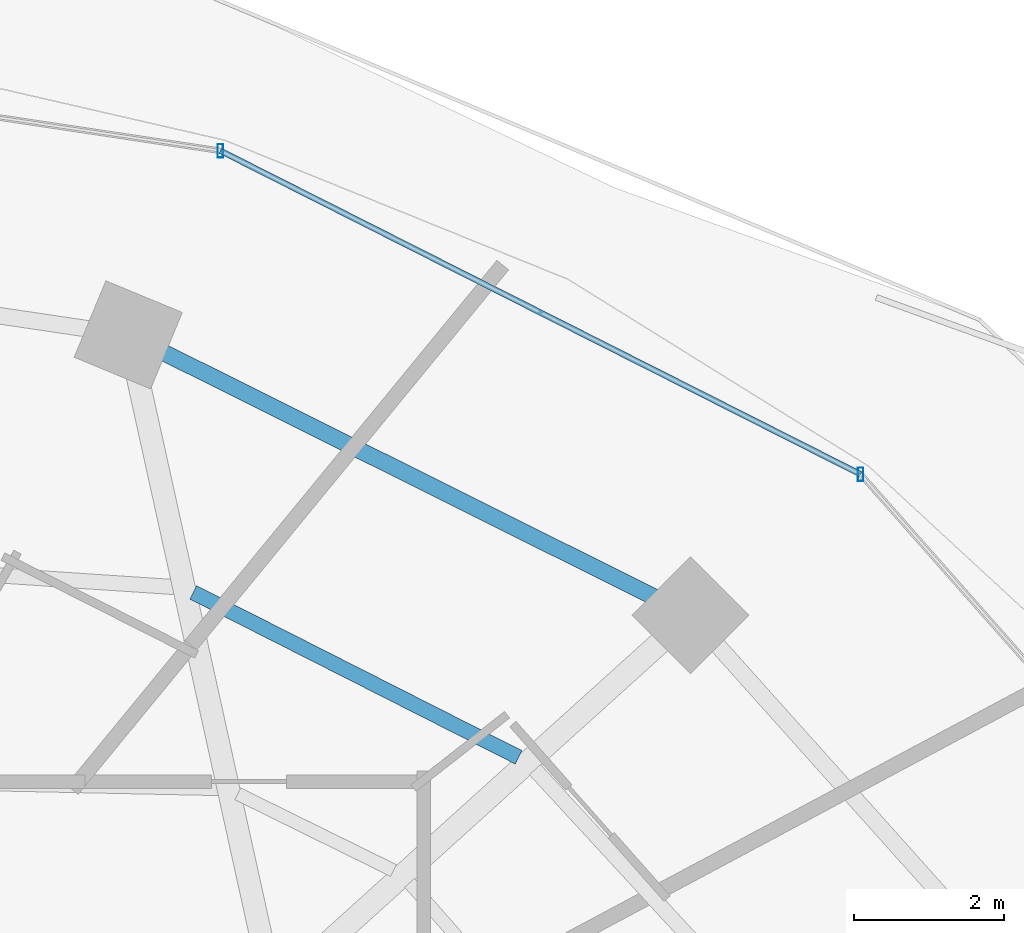
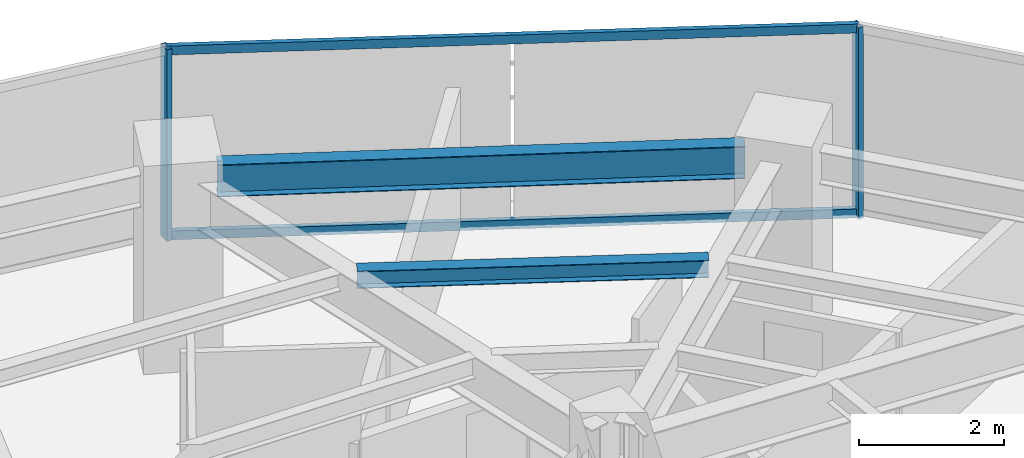
# One storey, part 20 of 29: 4 members, 2 beams, 1 element without a shape of its own.
"""IFC4 building model written with IfcOpenShell, lengths in metres."""

from ifc_helpers import new_model, si_unit, direction, frame, origin, origin_2d, place, context, subcontext, project, spatial, hollow_rectangle, i_section, extrude, material, material_profile, profile_set, type_object, element, aggregate, save


model = new_model("IFC4")

# Units and contexts
model_context = context("Model", 3, precision=1e-05, world=origin(), true_north=direction((0.0, 1.0)))
body_context = subcontext(model_context, "Body", "Model", "MODEL_VIEW")
ifc_project = project(units=[si_unit("LENGTHUNIT", "METRE"), si_unit("AREAUNIT", "SQUARE_METRE"), si_unit("VOLUMEUNIT", "CUBIC_METRE"), si_unit("PLANEANGLEUNIT", "RADIAN"), si_unit("MASSUNIT", "GRAM", prefix="KILO")], contexts=[model_context])

# Site, building, storey
site_placement = place(None, origin())
site = spatial("IfcSite", under=ifc_project, at=site_placement, CompositionType="ELEMENT")
building_placement = place(site_placement, origin())
building = spatial("IfcBuilding", under=site, at=building_placement, Name="Vorneva Point Tower", CompositionType="ELEMENT")
storey_placement = place(building_placement, frame((0.0, 0.0, 120.800048828125)))
storey = spatial("IfcBuildingStorey", under=building, at=storey_placement, Name="L32", CompositionType="ELEMENT", Elevation=120.800048828125)

# Beams
ifc_material_1 = material(Name="Steel S355", Category="steel")
ifc_material_profile_1 = material_profile(ifc_material_1, i_section(OverallWidth=0.199951171875, OverallDepth=0.291015625, WebThickness=0.008056640625, FlangeThickness=0.010986328125, at=origin_2d()), Name="30Sh1")
ifc_profile_set_1 = profile_set([ifc_material_profile_1], Name="Steel S355")
beam_type_1 = type_object("IfcBeamType", Name="BM-SEC-30Sh1", PredefinedType="BEAM", material=ifc_profile_set_1)
beam_1_placement = place(storey_placement, frame((52.013427734375, 36.271484375, 3.00439453125), z_axis=(-0.891957851433, 0.452118558862, 0.0), x_axis=(-0.452118558862, -0.891957851433, 0.0)))
element("IfcBeam", 1, at=beam_1_placement, inside=storey, type_object=beam_type_1, Name="L32 Secondary Floor Beam 1.03", PredefinedType="BEAM", context=body_context, shape_type="SweptSolid", body=[
    extrude(i_section(OverallWidth=0.199951171875, OverallDepth=0.291015625, WebThickness=0.008056640625, FlangeThickness=0.010986328125, at=origin_2d()), origin(), (0.0, 0.0, 1.0), 4.851318359375),
])
ifc_material_profile_2 = material_profile(ifc_material_1, i_section(OverallWidth=0.219970703125, OverallDepth=0.54296875, WebThickness=0.009521484375, FlangeThickness=0.013427734375, at=origin_2d()), Name="55B1")
ifc_profile_set_2 = profile_set([ifc_material_profile_2], Name="Steel S355")
beam_type_2 = type_object("IfcBeamType", Name="BM-SPN-55B1", PredefinedType="SPANDREL", material=ifc_profile_set_2)
beam_2_placement = place(storey_placement, frame((53.820068359375, 38.40087890625, 2.87841796875), z_axis=(-0.894915882304, 0.446234874926, 0.0), x_axis=(-0.446234874926, -0.894915882304, 0.0)))
element("IfcBeam", 2, at=beam_2_placement, inside=storey, type_object=beam_type_2, Name="L32 Perimeter Spandrel Ring Beam 03", PredefinedType="SPANDREL", context=body_context, shape_type="SweptSolid", body=[
    extrude(i_section(OverallWidth=0.219970703125, OverallDepth=0.54296875, WebThickness=0.009521484375, FlangeThickness=0.013427734375, at=origin_2d()), origin(), (0.0, 0.0, 1.0), 7.285888671875),
])

# Curtain wall, members
ifc_material_2 = material(Name="Pale anodised aluminium", Category="aluminium")
curtain_wall_type = type_object("IfcCurtainWallType", Name="CW-HTL-SYS", PredefinedType="NOTDEFINED", material=ifc_material_2)
curtain_wall_placement = place(storey_placement, origin())
curtain_wall = element("IfcCurtainWall", 3, at=curtain_wall_placement, inside=storey, type_object=curtain_wall_type, Name="L32 Unitised Curtain Wall CW-L32-R01", PredefinedType="NOTDEFINED")
ifc_material_profile_3 = material_profile(ifc_material_2, hollow_rectangle(XDim=0.074951171875, YDim=0.179931640625, WallThickness=0.00390625, at=origin_2d()), Name="AL-MUL 180x75x4")
ifc_profile_set_3 = profile_set([ifc_material_profile_3], Name="Pale anodised aluminium")
member_type_1 = type_object("IfcMemberType", Name="CW-MUL-180", PredefinedType="MULLION", material=ifc_profile_set_3)
member_1_placement = place(storey_placement, frame((56.5615234375, 40.0361328125, -0.0400390625), z_axis=(0.0, 0.0, 1.0), x_axis=(1.0, 0.0, 0.0)))
member_1 = element("IfcMember", 4, at=member_1_placement, type_object=member_type_1, Name="CW-L32-R01 Mullion 02", PredefinedType="MULLION", context=body_context, shape_type="SweptSolid", body=[
    extrude(hollow_rectangle(XDim=0.074951171875, YDim=0.179931640625, WallThickness=0.00390625, at=origin_2d()), origin(), (0.0, 0.0, 1.0), 3.219970703125),
])
member_2_placement = place(storey_placement, frame((48.04541015625, 44.339111328125, -0.0400390625), z_axis=(0.0, 0.0, 1.0), x_axis=(1.0, 0.0, 0.0)))
member_2 = element("IfcMember", 5, at=member_2_placement, type_object=member_type_1, Name="CW-L32-R01 Mullion 03", PredefinedType="MULLION", context=body_context, shape_type="SweptSolid", body=[
    extrude(hollow_rectangle(XDim=0.074951171875, YDim=0.179931640625, WallThickness=0.00390625, at=origin_2d()), origin(), (0.0, 0.0, 1.0), 3.219970703125),
])
ifc_material_profile_4 = material_profile(ifc_material_2, hollow_rectangle(XDim=0.074951171875, YDim=0.14990234375, WallThickness=0.00390625, at=origin_2d()), Name="AL-TRN 150x75x4")
ifc_profile_set_4 = profile_set([ifc_material_profile_4], Name="Pale anodised aluminium")
member_type_2 = type_object("IfcMemberType", Name="CW-TRN-150", PredefinedType="USERDEFINED", material=ifc_profile_set_4)
member_3_placement = place(storey_placement, frame((56.5615234375, 40.0361328125, 0.02001953125), z_axis=(-0.892536035732, 0.450976080207, 0.0), x_axis=(-0.450976080207, -0.892536035732, 0.0)))
member_3 = element("IfcMember", 6, at=member_3_placement, type_object=member_type_2, Name="CW-L32-R01 Transom 02.1", ObjectType="TRANSOM", PredefinedType="USERDEFINED", context=body_context, shape_type="SweptSolid", body=[
    extrude(hollow_rectangle(XDim=0.074951171875, YDim=0.14990234375, WallThickness=0.00390625, at=origin_2d()), origin(), (0.0, 0.0, 1.0), 9.54150390625),
])
member_4_placement = place(storey_placement, frame((56.5615234375, 40.0361328125, 3.1298828125), z_axis=(-0.892536035732, 0.450976080207, 0.0), x_axis=(-0.450976080207, -0.892536035732, 0.0)))
member_4 = element("IfcMember", 7, at=member_4_placement, type_object=member_type_2, Name="CW-L32-R01 Transom 02.2", ObjectType="TRANSOM", PredefinedType="USERDEFINED", context=body_context, shape_type="SweptSolid", body=[
    extrude(hollow_rectangle(XDim=0.074951171875, YDim=0.14990234375, WallThickness=0.00390625, at=origin_2d()), origin(), (0.0, 0.0, 1.0), 9.54150390625),
])
aggregate(curtain_wall, [member_1, member_2, member_3, member_4])

save(model, "model.ifc")
